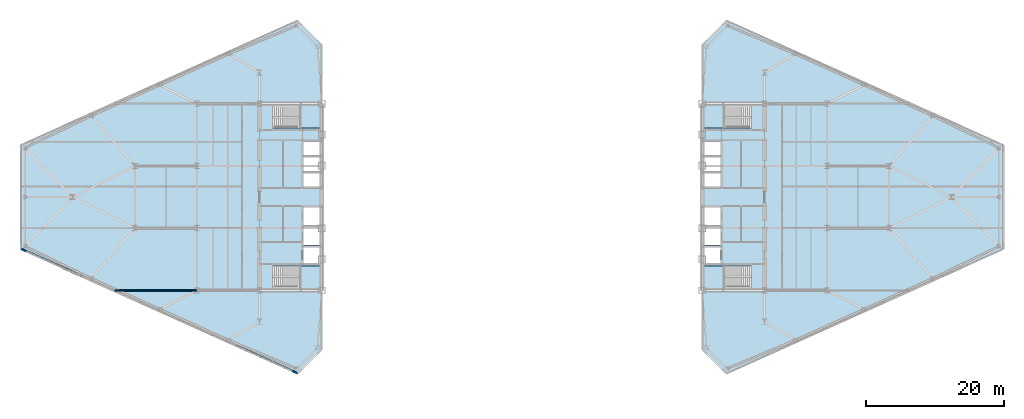
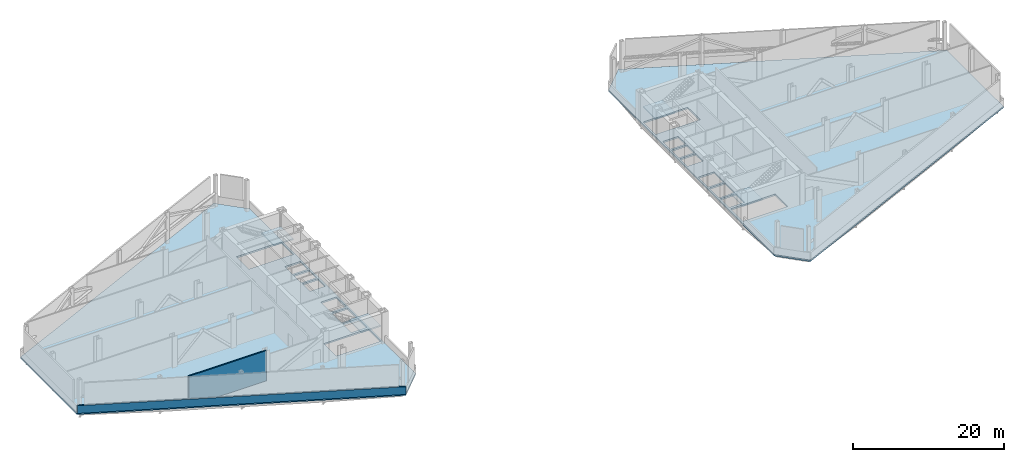
# One storey, part 5 of 11: 6 slabs, 2 walls, 4 elements without a shape of their own.
"""IFC4 building model written with IfcOpenShell, lengths in metres."""

from ifc_helpers import new_model, si_unit, direction, frame, frame_2d, origin, place, context, subcontext, project, spatial, polyline, rectangle, outline, extrude, material, layer, layer_set, type_object, element, aggregate, save


model = new_model("IFC4")

# Units and contexts
model_context = context("Model", 3, precision=1e-05, world=origin(), true_north=direction((0.0, 1.0)))
body_context = subcontext(model_context, "Body", "Model", "MODEL_VIEW")
ifc_project = project(units=[si_unit("LENGTHUNIT", "METRE"), si_unit("AREAUNIT", "SQUARE_METRE"), si_unit("VOLUMEUNIT", "CUBIC_METRE"), si_unit("PLANEANGLEUNIT", "RADIAN"), si_unit("MASSUNIT", "GRAM", prefix="KILO")], contexts=[model_context])

# Site, building, storey
site_placement = place(None, origin())
site = spatial("IfcSite", under=ifc_project, at=site_placement, CompositionType="ELEMENT")
building_placement = place(site_placement, origin())
building = spatial("IfcBuilding", under=site, at=building_placement, Name="Seokmaru Belvedere", CompositionType="ELEMENT")
storey_placement = place(building_placement, frame((0.0, 0.0, 87.300048828125)))
storey = spatial("IfcBuildingStorey", under=building, at=storey_placement, Name="L23", CompositionType="ELEMENT", Elevation=87.300048828125)

# Slabs
ifc_material_1 = material(Name="Concrete C50 (50 MPa)", Category="concrete")
ifc_layer_1 = layer(ifc_material_1, 0.260009765625)
ifc_layer_set_1 = layer_set([ifc_layer_1], Name="Concrete C50 (50 MPa)")
slab_type_1 = type_object("IfcSlabType", Name="Refuge and Sky-Gate Heavy Floor Slab 260", PredefinedType="FLOOR", material=ifc_layer_set_1)
slab_1_placement = place(storey_placement, frame((0.0, 0.0, -0.260009765625)))
element("IfcSlab", 1, at=slab_1_placement, inside=storey, type_object=slab_type_1, Name="L23 West Leg Floor Slab", PredefinedType="FLOOR", context=body_context, shape_type="SweptSolid", body=[
    extrude(outline(polyline([(-27.5, -22.0), (-27.5, 22.0), (-31.0, 25.5), (-71.0, 7.5), (-71.0, -7.5), (-31.0, -25.5), (-27.5, -22.0)]), holes=[polyline([(-34.60009765625, -13.25), (-27.75, -13.25), (-27.75, -9.949951171875), (-34.60009765625, -9.949951171875), (-34.60009765625, -13.25)]), polyline([(-34.60009765625, 9.949951171875), (-27.75, 9.949951171875), (-27.75, 13.25), (-34.60009765625, 13.25), (-34.60009765625, 9.949951171875)]), polyline([(-30.14990234375, -9.550048828125), (-27.75, -9.550048828125), (-27.75, -7.25), (-30.14990234375, -7.25), (-30.14990234375, -9.550048828125)]), polyline([(-30.14990234375, -6.949951171875), (-27.75, -6.949951171875), (-27.75, -4.35009765625), (-30.14990234375, -4.35009765625), (-30.14990234375, -6.949951171875)]), polyline([(-30.14990234375, -4.050048828125), (-27.75, -4.050048828125), (-27.75, -1.449951171875), (-30.14990234375, -1.449951171875), (-30.14990234375, -4.050048828125)]), polyline([(-30.14990234375, 1.449951171875), (-27.75, 1.449951171875), (-27.75, 3.449951171875), (-30.14990234375, 3.449951171875), (-30.14990234375, 1.449951171875)]), polyline([(-30.14990234375, 3.75), (-27.75, 3.75), (-27.75, 5.75), (-30.14990234375, 5.75), (-30.14990234375, 3.75)]), polyline([(-30.14990234375, 6.050048828125), (-27.75, 6.050048828125), (-27.75, 8.050048828125), (-30.14990234375, 8.050048828125), (-30.14990234375, 6.050048828125)])]), origin(), (0.0, 0.0, 1.0), 0.260009765625),
])
slab_2_placement = place(storey_placement, frame((0.0, 0.0, -0.260009765625)))
element("IfcSlab", 2, at=slab_2_placement, inside=storey, type_object=slab_type_1, Name="L23 East Leg Floor Slab", PredefinedType="FLOOR", context=body_context, shape_type="SweptSolid", body=[
    extrude(outline(polyline([(31.0, -25.5), (71.0, -7.5), (71.0, 7.5), (31.0, 25.5), (27.5, 22.0), (27.5, -22.0), (31.0, -25.5)]), holes=[polyline([(27.75, -13.25), (34.60009765625, -13.25), (34.60009765625, -9.949951171875), (27.75, -9.949951171875), (27.75, -13.25)]), polyline([(27.75, 9.949951171875), (34.60009765625, 9.949951171875), (34.60009765625, 13.25), (27.75, 13.25), (27.75, 9.949951171875)]), polyline([(27.75, -9.550048828125), (30.14990234375, -9.550048828125), (30.14990234375, -7.25), (27.75, -7.25), (27.75, -9.550048828125)]), polyline([(27.75, -6.949951171875), (30.14990234375, -6.949951171875), (30.14990234375, -4.35009765625), (27.75, -4.35009765625), (27.75, -6.949951171875)]), polyline([(27.75, -4.050048828125), (30.14990234375, -4.050048828125), (30.14990234375, -1.449951171875), (27.75, -1.449951171875), (27.75, -4.050048828125)]), polyline([(27.75, 1.449951171875), (30.14990234375, 1.449951171875), (30.14990234375, 3.449951171875), (27.75, 3.449951171875), (27.75, 1.449951171875)]), polyline([(27.75, 3.75), (30.14990234375, 3.75), (30.14990234375, 5.75), (27.75, 5.75), (27.75, 3.75)]), polyline([(27.75, 6.050048828125), (30.14990234375, 6.050048828125), (30.14990234375, 8.050048828125), (27.75, 8.050048828125), (27.75, 6.050048828125)])]), origin(), (0.0, 0.0, 1.0), 0.260009765625),
])

# Stair, slab
ifc_material_2 = material(Name="Concrete C40 (40 MPa)", Category="concrete")
stair_type = type_object("IfcStairType", Name="Refuge Storey Core Dog-Leg Stair 5100", PredefinedType="TWO_STRAIGHT_RUN_STAIR", material=ifc_material_2)
stair_1_placement = place(storey_placement, origin())
stair_1 = element("IfcStair", 3, at=stair_1_placement, inside=storey, type_object=stair_type, Name="L23 Special Escape Stair ST-W1", PredefinedType="TWO_STRAIGHT_RUN_STAIR")
ifc_layer_2 = layer(ifc_material_2, 0.199951171875)
ifc_layer_set_2 = layer_set([ifc_layer_2], Name="Concrete C40 (40 MPa)")
slab_type_2 = type_object("IfcSlabType", Name="Reinforced Concrete Stair Landing Slab 200", PredefinedType="LANDING", material=ifc_layer_set_2)
slab_3_placement = place(storey_placement, frame((0.0, 0.0, 2.349853515625)))
slab_3 = element("IfcSlab", 4, at=slab_3_placement, type_object=slab_type_2, Name="ST-W1 landing 1", PredefinedType="LANDING", context=body_context, shape_type="SweptSolid", body=[
    extrude(outline(polyline([(-30.760009765625, -13.239990234375), (-27.760009765625, -13.239990234375), (-27.760009765625, -9.949951171875), (-30.760009765625, -9.949951171875), (-30.760009765625, -13.239990234375)])), origin(), (0.0, 0.0, 1.0), 0.2001953125),
])
aggregate(stair_1, [slab_3])

stair_2_placement = place(storey_placement, origin())
stair_2 = element("IfcStair", 5, at=stair_2_placement, inside=storey, type_object=stair_type, Name="L23 Special Escape Stair ST-W2", PredefinedType="TWO_STRAIGHT_RUN_STAIR")
slab_4_placement = place(storey_placement, frame((0.0, 0.0, 2.349853515625)))
slab_4 = element("IfcSlab", 6, at=slab_4_placement, type_object=slab_type_2, Name="ST-W2 landing 1", PredefinedType="LANDING", context=body_context, shape_type="SweptSolid", body=[
    extrude(outline(polyline([(-30.760009765625, 9.949951171875), (-27.760009765625, 9.949951171875), (-27.760009765625, 13.239990234375), (-30.760009765625, 13.239990234375), (-30.760009765625, 9.949951171875)])), origin(), (0.0, 0.0, 1.0), 0.2001953125),
])
aggregate(stair_2, [slab_4])

stair_3_placement = place(storey_placement, origin())
stair_3 = element("IfcStair", 7, at=stair_3_placement, inside=storey, type_object=stair_type, Name="L23 Special Escape Stair ST-E1", PredefinedType="TWO_STRAIGHT_RUN_STAIR")
slab_5_placement = place(storey_placement, frame((0.0, 0.0, 2.349853515625)))
slab_5 = element("IfcSlab", 8, at=slab_5_placement, type_object=slab_type_2, Name="ST-E1 landing 1", PredefinedType="LANDING", context=body_context, shape_type="SweptSolid", body=[
    extrude(outline(polyline([(27.760009765625, -13.239990234375), (30.760009765625, -13.239990234375), (30.760009765625, -9.949951171875), (27.760009765625, -9.949951171875), (27.760009765625, -13.239990234375)])), origin(), (0.0, 0.0, 1.0), 0.2001953125),
])
aggregate(stair_3, [slab_5])

stair_4_placement = place(storey_placement, origin())
stair_4 = element("IfcStair", 9, at=stair_4_placement, inside=storey, type_object=stair_type, Name="L23 Special Escape Stair ST-E2", PredefinedType="TWO_STRAIGHT_RUN_STAIR")
slab_6_placement = place(storey_placement, frame((0.0, 0.0, 2.349853515625)))
slab_6 = element("IfcSlab", 10, at=slab_6_placement, type_object=slab_type_2, Name="ST-E2 landing 1", PredefinedType="LANDING", context=body_context, shape_type="SweptSolid", body=[
    extrude(outline(polyline([(27.760009765625, 9.949951171875), (30.760009765625, 9.949951171875), (30.760009765625, 13.239990234375), (27.760009765625, 13.239990234375), (27.760009765625, 9.949951171875)])), origin(), (0.0, 0.0, 1.0), 0.2001953125),
])
aggregate(stair_4, [slab_6])

# Walls
ifc_material_3 = material(Name="Fire-Rated Gypsum Shaftwall")
ifc_layer_3 = layer(ifc_material_3, 0.199951171875)
ifc_layer_set_3 = layer_set([ifc_layer_3], Name="Fire-Rated Gypsum Shaftwall")
wall_type_1 = type_object("IfcWallType", Name="Inter-Tenancy Fire Compartment Partition 200", PredefinedType="PARTITIONING", material=ifc_layer_set_3)
wall_1_placement = place(storey_placement, frame((-57.386474609375, -13.5, 0.0), z_axis=(0.0, 0.0, 1.0), x_axis=(1.0, 0.0, 0.0)))
element("IfcWall", 11, at=wall_1_placement, inside=storey, type_object=wall_type_1, Name="L23 Interior Partition 001", PredefinedType="PARTITIONING", context=body_context, shape_type="SweptSolid", body=[
    extrude(rectangle(XDim=11.866455078125, YDim=0.199951171875, at=frame_2d((5.93310546875, 0.0))), origin(), (0.0, 0.0, 1.0), 4.8798828125),
])
ifc_layer_4 = layer(ifc_material_2, 0.219970703125)
ifc_layer_set_4 = layer_set([ifc_layer_4], Name="Concrete C40 (40 MPa)")
wall_type_2 = type_object("IfcWallType", Name="Refuge and Roof Concrete Parapet 220", PredefinedType="PARAPET", material=ifc_layer_set_4)
wall_2_placement = place(storey_placement, frame((-70.981689453125, -7.50830078125, 0.0), z_axis=(0.0, 0.0, 1.0), x_axis=(0.911922547569, -0.410362360889, 0.0)))
element("IfcWall", 12, at=wall_2_placement, inside=storey, type_object=wall_type_2, Name="L23 W Refuge Perimeter Parapet 5", PredefinedType="PARAPET", context=body_context, shape_type="SweptSolid", body=[
    extrude(rectangle(XDim=43.8232421875, YDim=0.219970703125, at=frame_2d((21.91162109375, 0.0))), origin(), (0.0, 0.0, 1.0), 1.25),
])

save(model, "model.ifc")
